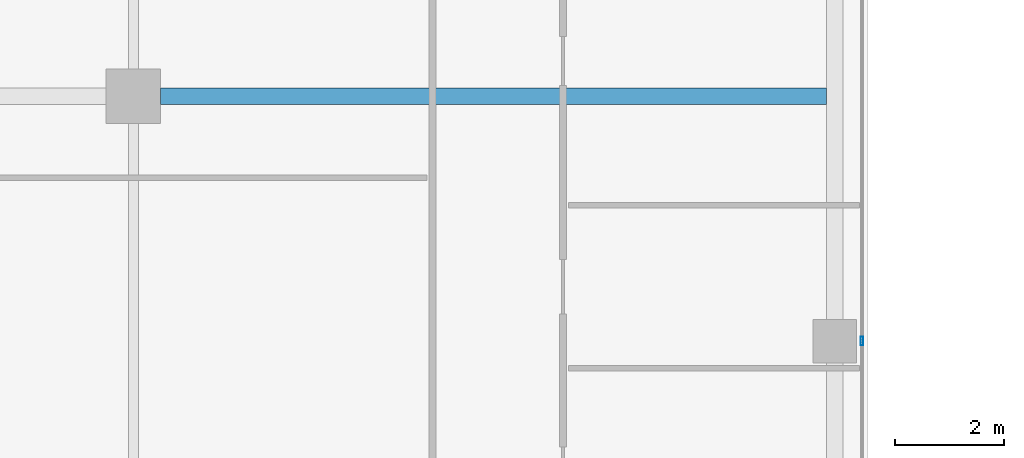
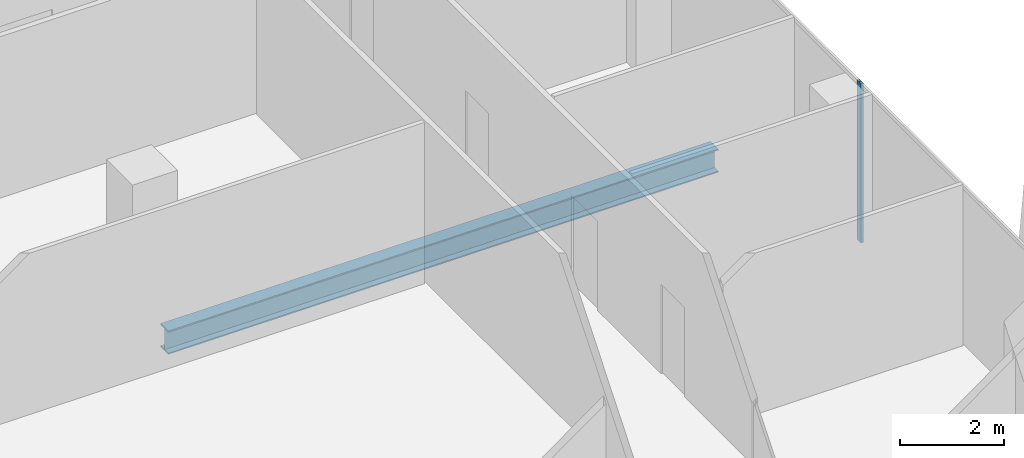
# One storey, part 9 of 28: 1 beam, 1 member, 1 element without a shape of its own.
"""IFC4 building model written with IfcOpenShell, lengths in metres."""

from ifc_helpers import new_model, si_unit, direction, frame, origin, origin_2d, place, context, subcontext, project, spatial, hollow_rectangle, i_section, extrude, source, transform, mapped, material, material_profile, profile_set, type_object, element, aggregate, save


model = new_model("IFC4")

# Units and contexts
model_context = context("Model", 3, precision=1e-05, world=origin(), true_north=direction((0.0, 1.0)))
body_context = subcontext(model_context, "Body", "Model", "MODEL_VIEW")
ifc_project = project(units=[si_unit("LENGTHUNIT", "METRE"), si_unit("AREAUNIT", "SQUARE_METRE"), si_unit("VOLUMEUNIT", "CUBIC_METRE"), si_unit("PLANEANGLEUNIT", "RADIAN"), si_unit("MASSUNIT", "GRAM", prefix="KILO")], contexts=[model_context])

# Site, building, storey
site_placement = place(None, origin())
site = spatial("IfcSite", under=ifc_project, at=site_placement, CompositionType="ELEMENT")
building_placement = place(site_placement, origin())
building = spatial("IfcBuilding", under=site, at=building_placement, Name="Khomas Fold Tower", CompositionType="ELEMENT")
storey_placement = place(building_placement, frame((0.0, 0.0, 298.199951171875)))
storey = spatial("IfcBuildingStorey", under=building, at=storey_placement, Name="L67", CompositionType="ELEMENT", Elevation=298.199951171875)

# Beam
ifc_material_1 = material(Name="Steel S355", Category="steel")
ifc_material_profile_1 = material_profile(ifc_material_1, i_section(OverallWidth=0.300048828125, OverallDepth=0.550048828125, WebThickness=0.014892578125, FlangeThickness=0.029052734375, at=origin_2d()), Name="HE 550 B")
ifc_profile_set_1 = profile_set([ifc_material_profile_1], Name="Steel S355")
beam_type = type_object("IfcBeamType", Name="HE 550 B beam GB4", PredefinedType="BEAM", material=ifc_profile_set_1)
shared_shape_1 = source(origin(), body_context, "Body", "SweptSolid", [
    extrude(i_section(OverallWidth=0.300048828125, OverallDepth=0.550048828125, WebThickness=0.014892578125, FlangeThickness=0.029052734375, at=origin_2d()), origin(), (0.0, 0.0, 1.0), 12.25),
])
beam_placement = place(storey_placement, frame((35.0, 31.5, -0.52490234375), z_axis=(1.0, 0.0, 0.0), x_axis=(0.0, 1.0, 0.0)))
element("IfcBeam", 1, at=beam_placement, inside=storey, type_object=beam_type, Name="GB4", PredefinedType="BEAM", context=body_context, shape_type="MappedRepresentation", body=[
    mapped(shared_shape_1, transform((0.0, 0.0, 0.0))),
])

# Curtain wall, member
ifc_material_2 = material(Name="Aluminium framed double glazing", Category="aluminium")
curtain_wall_type = type_object("IfcCurtainWallType", Name="SK-Unitised clear-glass wall, upper floors CW3", PredefinedType="NOTDEFINED", material=ifc_material_2)
curtain_wall_placement = place(storey_placement, origin())
curtain_wall = element("IfcCurtainWall", 2, at=curtain_wall_placement, inside=storey, type_object=curtain_wall_type, Name="CW3 run L67 03-0", PredefinedType="NOTDEFINED")
ifc_material_3 = material(Name="Aluminium", Category="aluminium")
ifc_material_profile_2 = material_profile(ifc_material_3, hollow_rectangle(XDim=0.050048828125, YDim=0.159912109375, WallThickness=0.00390625, at=origin_2d()), Name="SK-Unitised clear-glass wall, upper floors mullion CW3-M")
ifc_profile_set_2 = profile_set([ifc_material_profile_2], Name="Aluminium")
member_type = type_object("IfcMemberType", Name="SK-Unitised clear-glass wall, upper floors mullion CW3-M", PredefinedType="MULLION", material=ifc_profile_set_2)
shared_shape_2 = source(origin(), body_context, "Body", "SweptSolid", [
    extrude(hollow_rectangle(XDim=0.050048828125, YDim=0.159912109375, WallThickness=0.00390625, at=origin_2d()), origin(), (0.0, 0.0, 1.0), 3.75),
])
member_placement = place(storey_placement, frame((47.89990234375, 27.0, 0.0), z_axis=(0.0, 0.0, 1.0), x_axis=(-1.0, 0.0, 0.0)))
member = element("IfcMember", 3, at=member_placement, type_object=member_type, Name="CW3 mullion 4", PredefinedType="MULLION", context=body_context, shape_type="MappedRepresentation", body=[
    mapped(shared_shape_2, transform((0.0, 0.0, 0.0))),
])
aggregate(curtain_wall, [member])

save(model, "model.ifc")
